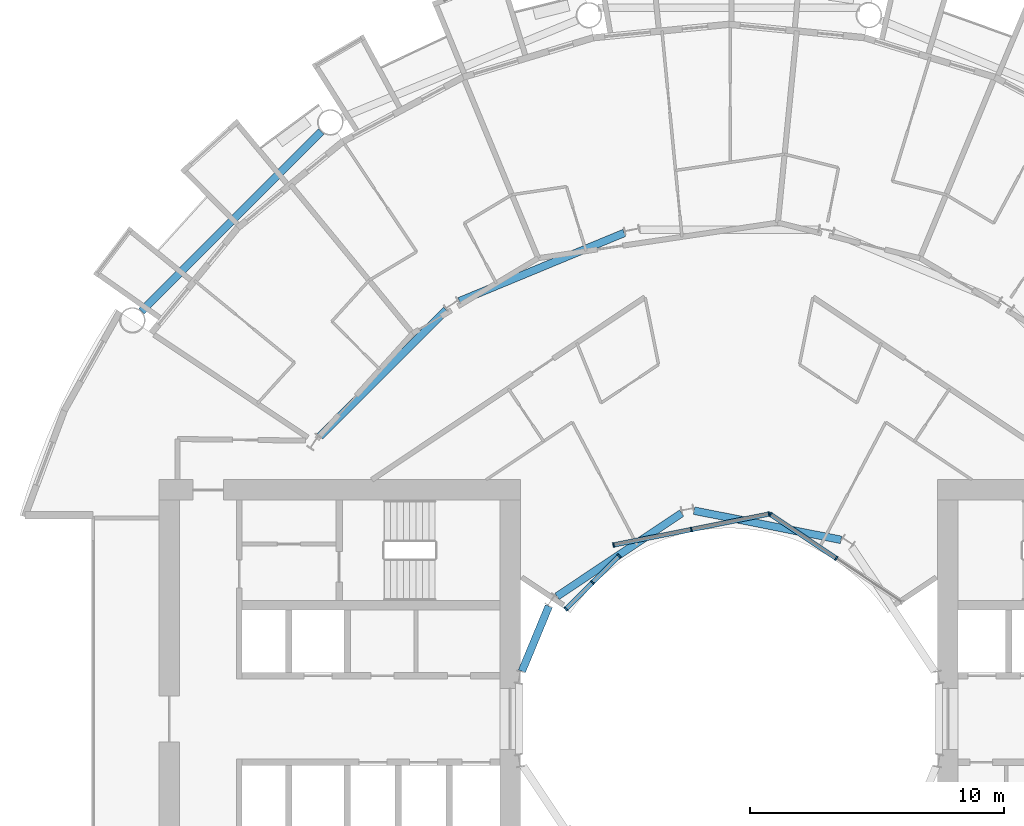
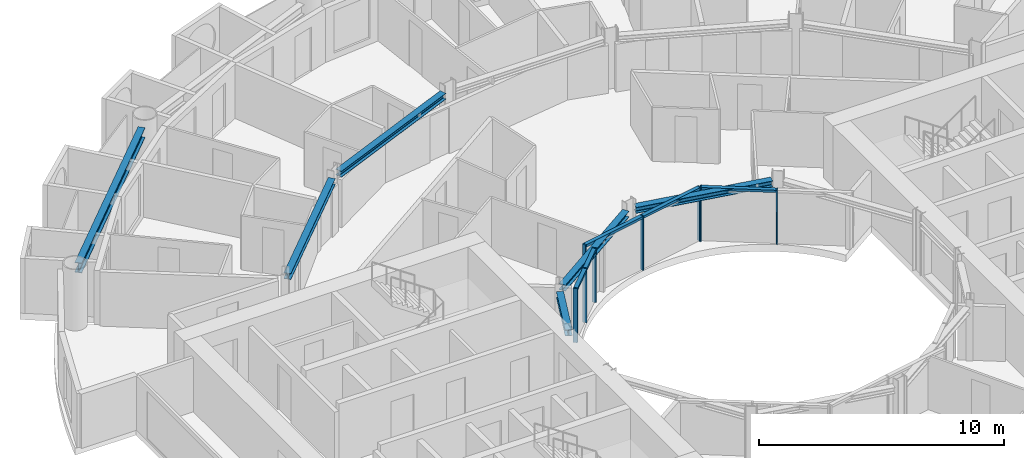
# One storey, part 7 of 26: 13 members, 6 beams, 3 elements without a shape of their own.
"""IFC4 building model written with IfcOpenShell, lengths in metres."""

from ifc_helpers import new_model, si_unit, direction, frame, origin, origin_2d, place, context, subcontext, project, spatial, rectangle, i_section, extrude, material, layer, layer_set, material_profile, profile_set, type_object, element, aggregate, save


model = new_model("IFC4")

# Units and contexts
model_context = context("Model", 3, precision=1e-05, world=origin(), true_north=direction((0.0, 1.0)))
body_context = subcontext(model_context, "Body", "Model", "MODEL_VIEW")
ifc_project = project(units=[si_unit("LENGTHUNIT", "METRE"), si_unit("AREAUNIT", "SQUARE_METRE"), si_unit("VOLUMEUNIT", "CUBIC_METRE"), si_unit("PLANEANGLEUNIT", "RADIAN"), si_unit("MASSUNIT", "GRAM", prefix="KILO")], contexts=[model_context])

# Site, building, storey
site_placement = place(None, origin())
site = spatial("IfcSite", under=ifc_project, at=site_placement, CompositionType="ELEMENT")
building_placement = place(site_placement, origin())
building = spatial("IfcBuilding", under=site, at=building_placement, Name="Maasbend Ring Residences", CompositionType="ELEMENT")
storey_placement = place(building_placement, frame((0.0, 0.0, 31.949951171875)))
storey = spatial("IfcBuildingStorey", under=building, at=storey_placement, Name="L08", CompositionType="ELEMENT", Elevation=31.949951171875)

# Curtain wall, members
ifc_material_1 = material(Name="Aluminium and clear glass", Category="aluminium")
ifc_layer = layer(ifc_material_1, 0.179931640625)
ifc_layer_set = layer_set([ifc_layer], Name="CW-W")
curtain_wall_type = type_object("IfcCurtainWallType", Name="CW-W", PredefinedType="NOTDEFINED", material=ifc_layer_set)
curtain_wall_1_placement = place(storey_placement, origin())
curtain_wall_1 = element("IfcCurtainWall", 1, at=curtain_wall_1_placement, inside=storey, type_object=curtain_wall_type, Name="Well curtain wall N1", PredefinedType="NOTDEFINED")
ifc_material_2 = material(Name="Aluminium 6063-T6", Category="aluminium")
ifc_material_profile_1 = material_profile(ifc_material_2, rectangle(XDim=0.179931640625, YDim=0.06005859375, at=origin_2d()), Name="AL 180x60")
ifc_profile_set_1 = profile_set([ifc_material_profile_1], Name="Aluminium 6063-T6")
member_type_1 = type_object("IfcMemberType", Name="CWM-W", PredefinedType="MULLION", material=ifc_profile_set_1)
member_1_placement = place(storey_placement, frame((4.216796875, 6.310791015625, 0.0), z_axis=(0.0, 0.0, 1.0), x_axis=(-0.55557023302, -0.831469612303, 0.0)))
member_1 = element("IfcMember", 2, at=member_1_placement, type_object=member_type_1, Name="Mullion well face", PredefinedType="MULLION", context=body_context, shape_type="SweptSolid", body=[
    extrude(rectangle(XDim=0.179931640625, YDim=0.06005859375, at=origin_2d()), origin(), (0.0, 0.0, 1.0), 2.699951171875),
])
member_2_placement = place(storey_placement, frame((1.627685546875, 8.040771484375, 0.0), z_axis=(0.0, 0.0, 1.0), x_axis=(-0.55557023302, -0.831469612303, 0.0)))
member_2 = element("IfcMember", 3, at=member_2_placement, type_object=member_type_1, Name="Mullion well face", PredefinedType="MULLION", context=body_context, shape_type="SweptSolid", body=[
    extrude(rectangle(XDim=0.179931640625, YDim=0.06005859375, at=origin_2d()), origin(), (0.0, 0.0, 1.0), 2.699951171875),
])

curtain_wall_2_placement = place(storey_placement, origin())
curtain_wall_2 = element("IfcCurtainWall", 4, at=curtain_wall_2_placement, inside=storey, type_object=curtain_wall_type, Name="Well curtain wall N2", PredefinedType="NOTDEFINED")
member_3_placement = place(storey_placement, frame((1.5732421875, 8.0517578125, 0.0), z_axis=(0.0, 0.0, 1.0), x_axis=(0.195090322016, -0.980785280403, 0.0)))
member_3 = element("IfcMember", 5, at=member_3_placement, type_object=member_type_1, Name="Mullion well face", PredefinedType="MULLION", context=body_context, shape_type="SweptSolid", body=[
    extrude(rectangle(XDim=0.179931640625, YDim=0.06005859375, at=origin_2d()), origin(), (0.0, 0.0, 1.0), 2.699951171875),
])
member_4_placement = place(storey_placement, frame((-1.480712890625, 7.444091796875, 0.0), z_axis=(0.0, 0.0, 1.0), x_axis=(0.195090322016, -0.980785280403, 0.0)))
member_4 = element("IfcMember", 6, at=member_4_placement, type_object=member_type_1, Name="Mullion well face", PredefinedType="MULLION", context=body_context, shape_type="SweptSolid", body=[
    extrude(rectangle(XDim=0.179931640625, YDim=0.06005859375, at=origin_2d()), origin(), (0.0, 0.0, 1.0), 2.699951171875),
])
member_5_placement = place(storey_placement, frame((-4.53466796875, 6.836669921875, 0.0), z_axis=(0.0, 0.0, 1.0), x_axis=(0.195090322016, -0.980785280403, 0.0)))
member_5 = element("IfcMember", 7, at=member_5_placement, type_object=member_type_1, Name="Mullion well face", PredefinedType="MULLION", context=body_context, shape_type="SweptSolid", body=[
    extrude(rectangle(XDim=0.179931640625, YDim=0.06005859375, at=origin_2d()), origin(), (0.0, 0.0, 1.0), 2.699951171875),
])

curtain_wall_3_placement = place(storey_placement, origin())
curtain_wall_3 = element("IfcCurtainWall", 8, at=curtain_wall_3_placement, inside=storey, type_object=curtain_wall_type, Name="Well curtain wall N3", PredefinedType="NOTDEFINED")
member_6_placement = place(storey_placement, frame((-4.320556640625, 6.413330078125, 0.0), z_axis=(0.0, 0.0, 1.0), x_axis=(0.707106781187, -0.707106781187, 0.0)))
member_6 = element("IfcMember", 9, at=member_6_placement, type_object=member_type_1, Name="Mullion well face", PredefinedType="MULLION", context=body_context, shape_type="SweptSolid", body=[
    extrude(rectangle(XDim=0.179931640625, YDim=0.06005859375, at=origin_2d()), origin(), (0.0, 0.0, 1.0), 2.699951171875),
])
member_7_placement = place(storey_placement, frame((-5.366943359375, 5.366943359375, 0.0), z_axis=(0.0, 0.0, 1.0), x_axis=(0.707106781187, -0.707106781187, 0.0)))
member_7 = element("IfcMember", 10, at=member_7_placement, type_object=member_type_1, Name="Mullion well face", PredefinedType="MULLION", context=body_context, shape_type="SweptSolid", body=[
    extrude(rectangle(XDim=0.179931640625, YDim=0.06005859375, at=origin_2d()), origin(), (0.0, 0.0, 1.0), 2.699951171875),
])
member_8_placement = place(storey_placement, frame((-6.413330078125, 4.320556640625, 0.0), z_axis=(0.0, 0.0, 1.0), x_axis=(0.707106781187, -0.707106781187, 0.0)))
member_8 = element("IfcMember", 11, at=member_8_placement, type_object=member_type_1, Name="Mullion well face", PredefinedType="MULLION", context=body_context, shape_type="SweptSolid", body=[
    extrude(rectangle(XDim=0.179931640625, YDim=0.06005859375, at=origin_2d()), origin(), (0.0, 0.0, 1.0), 2.699951171875),
])

# Member
ifc_material_3 = material(Name="Aluminium 6063-T6", Category="aluminium")
ifc_material_profile_2 = material_profile(ifc_material_3, rectangle(XDim=0.179931640625, YDim=0.1201171875, at=origin_2d()), Name="AL 180x120")
ifc_profile_set_2 = profile_set([ifc_material_profile_2], Name="Aluminium 6063-T6")
member_type_2 = type_object("IfcMemberType", Name="CWT-W", PredefinedType="USERDEFINED", material=ifc_profile_set_2)
member_9_placement = place(storey_placement, frame((4.19189453125, 6.32763671875, 2.64013671875), z_axis=(-0.831496422459, 0.555530106689, 0.0), x_axis=(-0.555530106689, -0.831496422459, 0.0)))
member_9 = element("IfcMember", 12, at=member_9_placement, type_object=member_type_2, Name="Transom well face", ObjectType="TRANSOM", PredefinedType="USERDEFINED", context=body_context, shape_type="SweptSolid", body=[
    extrude(rectangle(XDim=0.179931640625, YDim=0.1201171875, at=origin_2d()), origin(), (0.0, 0.0, 1.0), 3.053955078125),
])

aggregate(curtain_wall_1, [member_1, member_2, member_9])

member_10_placement = place(storey_placement, frame((1.5439453125, 8.0458984375, 2.64013671875), z_axis=(-0.980776956105, -0.195132166424, 0.0), x_axis=(0.195132166424, -0.980776956105, 0.0)))
member_10 = element("IfcMember", 13, at=member_10_placement, type_object=member_type_2, Name="Transom well face", ObjectType="TRANSOM", PredefinedType="USERDEFINED", context=body_context, shape_type="SweptSolid", body=[
    extrude(rectangle(XDim=0.179931640625, YDim=0.1201171875, at=origin_2d()), origin(), (0.0, 0.0, 1.0), 3.053955078125),
])

member_11_placement = place(storey_placement, frame((-1.51025390625, 7.438232421875, 2.64013671875), z_axis=(-0.980789210404, -0.19507056353, 0.0), x_axis=(0.19507056353, -0.980789210404, 0.0)))
member_11 = element("IfcMember", 14, at=member_11_placement, type_object=member_type_2, Name="Transom well face", ObjectType="TRANSOM", PredefinedType="USERDEFINED", context=body_context, shape_type="SweptSolid", body=[
    extrude(rectangle(XDim=0.179931640625, YDim=0.1201171875, at=origin_2d()), origin(), (0.0, 0.0, 1.0), 3.0537109375),
])

aggregate(curtain_wall_2, [member_3, member_4, member_5, member_10, member_11])

member_12_placement = place(storey_placement, frame((-4.341796875, 6.39208984375, 2.64013671875), z_axis=(-0.707106781187, -0.707106781187, 0.0), x_axis=(0.707106781187, -0.707106781187, 0.0)))
member_12 = element("IfcMember", 15, at=member_12_placement, type_object=member_type_2, Name="Transom well face", ObjectType="TRANSOM", PredefinedType="USERDEFINED", context=body_context, shape_type="SweptSolid", body=[
    extrude(rectangle(XDim=0.179931640625, YDim=0.1201171875, at=origin_2d()), origin(), (0.0, 0.0, 1.0), 1.419677734375),
])

member_13_placement = place(storey_placement, frame((-5.38818359375, 5.345703125, 2.64013671875), z_axis=(-0.707106781187, -0.707106781187, 0.0), x_axis=(0.707106781187, -0.707106781187, 0.0)))
member_13 = element("IfcMember", 16, at=member_13_placement, type_object=member_type_2, Name="Transom well face", ObjectType="TRANSOM", PredefinedType="USERDEFINED", context=body_context, shape_type="SweptSolid", body=[
    extrude(rectangle(XDim=0.179931640625, YDim=0.1201171875, at=origin_2d()), origin(), (0.0, 0.0, 1.0), 1.419677734375),
])

aggregate(curtain_wall_3, [member_6, member_7, member_8, member_12, member_13])

# Beams
ifc_material_4 = material(Name="Steel S355J2", Category="steel")
ifc_material_profile_3 = material_profile(ifc_material_4, i_section(OverallWidth=0.300048828125, OverallDepth=0.300048828125, WebThickness=0.010986328125, FlangeThickness=0.01904296875, FilletRadius=0.027099609375, at=origin_2d()), Name="HEB 300")
ifc_profile_set_3 = profile_set([ifc_material_profile_3], Name="Steel S355J2")
beam_type_1 = type_object("IfcBeamType", Name="Corridor ring beam HEB 300", PredefinedType="BEAM", material=ifc_profile_set_3)
beam_1_placement = place(storey_placement, frame((-4.11572265625, 19.102294921875, 2.550048828125), z_axis=(-0.923886196809, -0.38266734293, 0.0), x_axis=(0.38266734293, -0.923886196809, 0.0)))
element("IfcBeam", 17, at=beam_1_placement, inside=storey, type_object=beam_type_1, Name="Corridor ring beam", PredefinedType="BEAM", context=body_context, shape_type="SweptSolid", body=[
    extrude(i_section(OverallWidth=0.300048828125, OverallDepth=0.300048828125, WebThickness=0.010986328125, FlangeThickness=0.01904296875, FilletRadius=0.027099609375, at=origin_2d()), origin(), (0.0, 0.0, 1.0), 7.015380859375),
])
beam_2_placement = place(storey_placement, frame((-11.11279296875, 16.0732421875, 2.550048828125), z_axis=(-0.707106781187, -0.707106781187, 0.0), x_axis=(0.707106781187, -0.707106781187, 0.0)))
element("IfcBeam", 18, at=beam_2_placement, inside=storey, type_object=beam_type_1, Name="Corridor ring beam", PredefinedType="BEAM", context=body_context, shape_type="SweptSolid", body=[
    extrude(i_section(OverallWidth=0.300048828125, OverallDepth=0.300048828125, WebThickness=0.010986328125, FlangeThickness=0.01904296875, FilletRadius=0.027099609375, at=origin_2d()), origin(), (0.0, 0.0, 1.0), 7.01513671875),
])
ifc_material_5 = material(Name="Steel S355J2", Category="steel")
ifc_material_profile_4 = material_profile(ifc_material_5, i_section(OverallWidth=0.300048828125, OverallDepth=0.5, WebThickness=0.014404296875, FlangeThickness=0.028076171875, FilletRadius=0.027099609375, at=origin_2d()), Name="HEB 500")
ifc_profile_set_4 = profile_set([ifc_material_profile_4], Name="Steel S355J2")
beam_type_2 = type_object("IfcBeamType", Name="Spandrel ring beam HEB 500", PredefinedType="SPANDREL", material=ifc_profile_set_4)
beam_3_placement = place(storey_placement, frame((-16.0263671875, 23.088134765625, 2.449951171875), z_axis=(-0.707106781187, -0.707106781187, 0.0), x_axis=(0.707106781187, -0.707106781187, 0.0)))
element("IfcBeam", 19, at=beam_3_placement, inside=storey, type_object=beam_type_2, Name="Spandrel ring beam", PredefinedType="SPANDREL", context=body_context, shape_type="SweptSolid", body=[
    extrude(i_section(OverallWidth=0.300048828125, OverallDepth=0.5, WebThickness=0.014404296875, FlangeThickness=0.028076171875, FilletRadius=0.027099609375, at=origin_2d()), origin(), (0.0, 0.0, 1.0), 9.98681640625),
])
ifc_material_6 = material(Name="Steel S355J2", Category="steel")
ifc_material_profile_5 = material_profile(ifc_material_6, i_section(OverallWidth=0.300048828125, OverallDepth=0.300048828125, WebThickness=0.010986328125, FlangeThickness=0.01904296875, FilletRadius=0.027099609375, at=origin_2d()), Name="HEB 300")
ifc_profile_set_5 = profile_set([ifc_material_profile_5], Name="Steel S355J2")
beam_type_3 = type_object("IfcBeamType", Name="Well edge beam HEB 300", PredefinedType="BEAM", material=ifc_profile_set_5)
beam_4_placement = place(storey_placement, frame((4.4013671875, 7.037109375, 2.550048828125), z_axis=(-0.980784282486, 0.195095338819, 0.0), x_axis=(-0.195095338819, -0.980784282486, 0.0)))
element("IfcBeam", 20, at=beam_4_placement, inside=storey, type_object=beam_type_3, Name="Well edge beam", PredefinedType="BEAM", context=body_context, shape_type="SweptSolid", body=[
    extrude(i_section(OverallWidth=0.300048828125, OverallDepth=0.300048828125, WebThickness=0.010986328125, FlangeThickness=0.01904296875, FilletRadius=0.027099609375, at=origin_2d()), origin(), (0.0, 0.0, 1.0), 5.8876953125),
])
beam_5_placement = place(storey_placement, frame((-1.86376953125, 8.08837890625, 2.550048828125), z_axis=(-0.831456549723, -0.555589782054, 0.0), x_axis=(0.555589782054, -0.831456549723, 0.0)))
element("IfcBeam", 21, at=beam_5_placement, inside=storey, type_object=beam_type_3, Name="Well edge beam", PredefinedType="BEAM", context=body_context, shape_type="SweptSolid", body=[
    extrude(i_section(OverallWidth=0.300048828125, OverallDepth=0.300048828125, WebThickness=0.010986328125, FlangeThickness=0.01904296875, FilletRadius=0.027099609375, at=origin_2d()), origin(), (0.0, 0.0, 1.0), 5.887939453125),
])
beam_6_placement = place(storey_placement, frame((-7.081787109375, 4.431396484375, 2.550048828125), z_axis=(-0.382723119906, -0.923863092395, 0.0), x_axis=(0.923863092395, -0.382723119906, 0.0)))
element("IfcBeam", 22, at=beam_6_placement, inside=storey, type_object=beam_type_3, Name="Well edge beam", PredefinedType="BEAM", context=body_context, shape_type="SweptSolid", body=[
    extrude(i_section(OverallWidth=0.300048828125, OverallDepth=0.300048828125, WebThickness=0.010986328125, FlangeThickness=0.01904296875, FilletRadius=0.027099609375, at=origin_2d()), origin(), (0.0, 0.0, 1.0), 2.767822265625),
])

save(model, "model.ifc")
